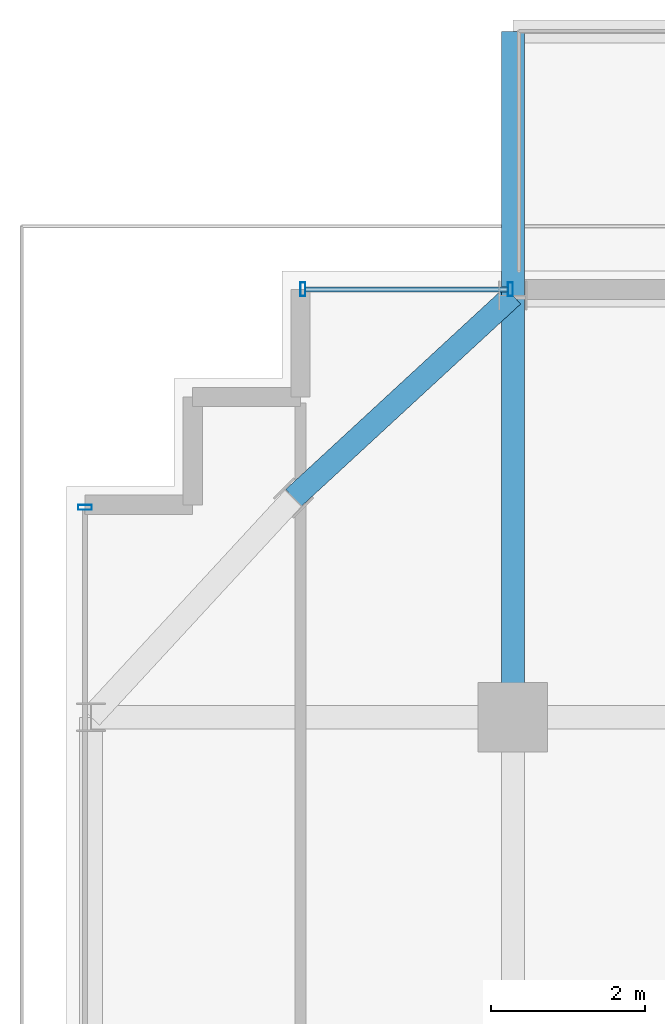
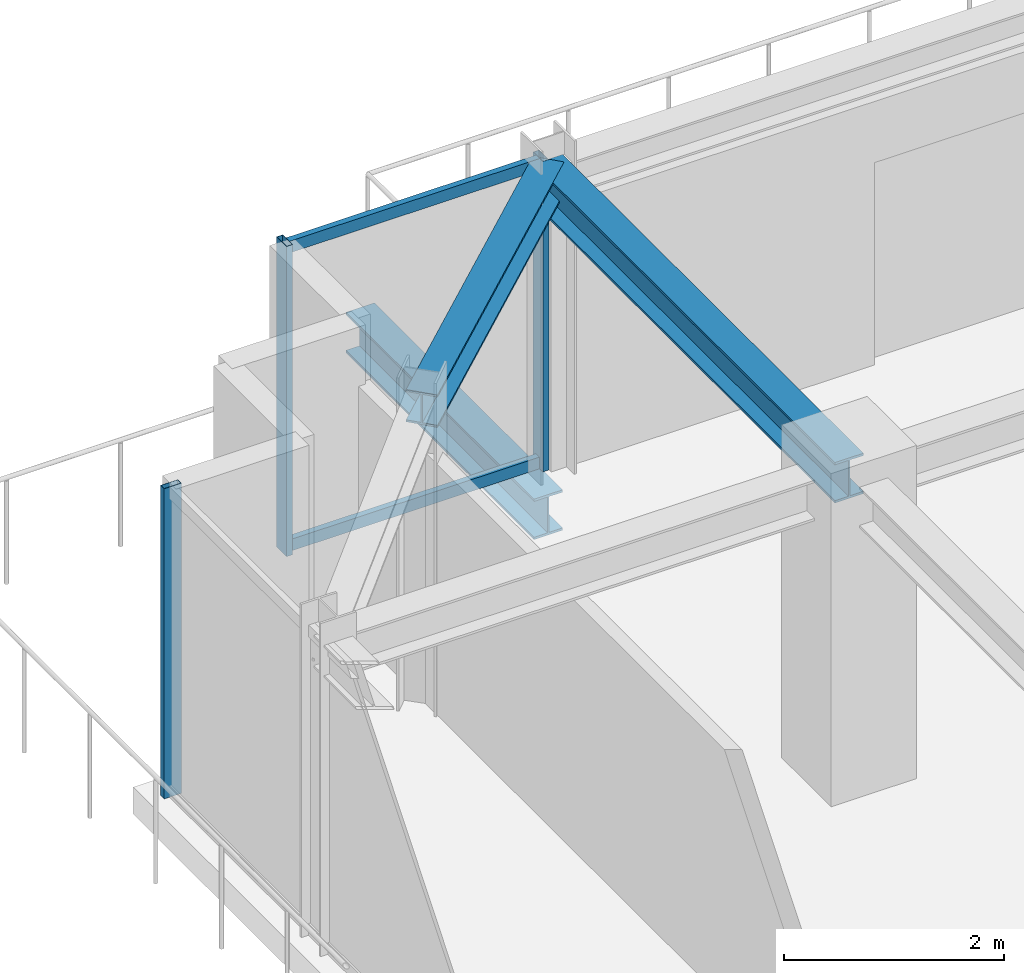
# One storey, part 17 of 32: 5 members, 3 beams, 2 elements without a shape of their own.
"""IFC4 building model written with IfcOpenShell, lengths in metres."""

import ifcopenshell
import ifcopenshell.guid

model = None  # the IFC model being written
_history = None  # IfcOwnerHistory: only IFC2X3 demands one
_inside = {}  # id of a spatial element -> (the spatial element, [elements in it])
_under = {}  # id of a project, library or spatial element -> (it, [spatial elements below it])
_declared = {}  # id of a project -> (the project, [libraries it declares])
_typed = {}  # id of a type object -> (the type object, [elements of that type])
_made_of = {}  # id of a material, layer set ... -> (it, [elements and type objects made of it])


def new_model(schema):
    """Start an empty IFC model of exactly this schema.

    Asked for "IFC4X3", IfcOpenShell would pick the latest addendum, in which some entities
    have other attributes; the version numbers below select the first issue.
    IFC2X3 requires an IfcOwnerHistory on every rooted entity: one is made here for all.
    """
    global model, _history
    if schema == "IFC4X3":
        model = ifcopenshell.file(schema_version=(4, 3, 0, 0))
    else:
        model = ifcopenshell.file(schema=schema)
    _inside.clear()
    _under.clear()
    _declared.clear()
    _typed.clear()
    _made_of.clear()
    _history = None
    if model.schema == "IFC2X3":
        org = make("IfcOrganization", Name="unknown")
        user = make(
            "IfcPersonAndOrganization",
            ThePerson=make("IfcPerson", FamilyName="unknown"),
            TheOrganization=org,
        )
        app = make(
            "IfcApplication",
            ApplicationDeveloper=org,
            Version="unknown",
            ApplicationFullName="unknown",
            ApplicationIdentifier="unknown",
        )
        _history = make(
            "IfcOwnerHistory",
            OwningUser=user,
            OwningApplication=app,
            ChangeAction="ADDED",
            CreationDate=0,
        )
    return model


def make(cls, **values):
    """One entity of the class cls with the attributes given. An attribute that is None is left unset."""
    return model.create_entity(
        cls, **{name: value for name, value in values.items() if value is not None}
    )


def rooted(cls, **values):
    """An entity with a GlobalId (a new one), such as an element, a storey or a relation."""
    return make(cls, GlobalId=ifcopenshell.guid.new(), OwnerHistory=_history, **values)


def si_unit(unit_type, name, prefix=None):
    """IfcSIUnit, for example si_unit("LENGTHUNIT", "METRE", prefix="MILLI")."""
    return make("IfcSIUnit", UnitType=unit_type, Prefix=prefix, Name=name)


def assignment(units):
    """IfcUnitAssignment: the units of a project."""
    return None if units is None else make("IfcUnitAssignment", Units=units)


def point(xyz):
    """IfcCartesianPoint."""
    return None if xyz is None else make("IfcCartesianPoint", Coordinates=xyz)


def direction(xyz):
    """IfcDirection."""
    return None if xyz is None else make("IfcDirection", DirectionRatios=xyz)


def frame(location, z_axis=None, x_axis=None):
    """IfcAxis2Placement3D, a coordinate frame: its origin and axes. An axis left out is left unset."""
    return make(
        "IfcAxis2Placement3D",
        Location=point(location),
        Axis=direction(z_axis),
        RefDirection=direction(x_axis),
    )


def frame_2d(location, x_axis=None):
    """IfcAxis2Placement2D, a coordinate frame in the plane: its origin and x axis."""
    return make(
        "IfcAxis2Placement2D", Location=point(location), RefDirection=direction(x_axis)
    )


def origin():
    """The frame at (0, 0, 0) with its axes left unset."""
    return frame((0.0, 0.0, 0.0))


def origin_2d():
    """The frame at (0, 0) in the plane with its x axis left unset."""
    return frame_2d((0.0, 0.0))


def place(relative_to, where):
    """IfcLocalPlacement: puts the frame where relative to a parent placement (None: the world)."""
    return make(
        "IfcLocalPlacement", PlacementRelTo=relative_to, RelativePlacement=where
    )


def context(
    kind, dimensions, precision=None, world=None, true_north=None, identifier=None
):
    """IfcGeometricRepresentationContext, for example the 3D "Model" context."""
    return make(
        "IfcGeometricRepresentationContext",
        ContextIdentifier=identifier,
        ContextType=kind,
        CoordinateSpaceDimension=dimensions,
        Precision=precision,
        WorldCoordinateSystem=world,
        TrueNorth=true_north,
    )


def subcontext(parent, identifier, kind, view, scale=None):
    """IfcGeometricRepresentationSubContext, for example "Body" below "Model"."""
    return make(
        "IfcGeometricRepresentationSubContext",
        ContextIdentifier=identifier,
        ContextType=kind,
        ParentContext=parent,
        TargetScale=scale,
        TargetView=view,
    )


def project(units=None, contexts=None):
    """IfcProject with its units and contexts."""
    return rooted(
        "IfcProject",
        Name="project",
        RepresentationContexts=contexts,
        UnitsInContext=assignment(units),
    )


def spatial(cls, under=None, at=None, **own):
    """A site, building, storey or space (cls), placed at a placement, below another one or the project."""
    s = rooted(cls, ObjectPlacement=at, **own)
    if under is not None:
        _under.setdefault(under.id(), (under, []))[1].append(s)
    return s


def profile(cls, at=None, kind="AREA", **sizes):
    """A parametric profile (cls). Its sizes go by their IFC names, for example OverallWidth=200.0."""
    return make(cls, ProfileType=kind, Position=at, **sizes)


def hollow_rectangle(**sizes):
    """IfcRectangleHollowProfileDef."""
    return profile("IfcRectangleHollowProfileDef", **sizes)


def i_section(**sizes):
    """IfcIShapeProfileDef."""
    return profile("IfcIShapeProfileDef", **sizes)


def extrude(swept, where, along, depth):
    """IfcExtrudedAreaSolid: the profile swept, set in the frame where, extruded along a direction by depth."""
    return make(
        "IfcExtrudedAreaSolid",
        SweptArea=swept,
        Position=where,
        ExtrudedDirection=direction(along),
        Depth=depth,
    )


def shape(context_of_items, identifier, shape_type, items):
    """IfcShapeRepresentation: the items that make up one representation, for example the "Body"."""
    return make(
        "IfcShapeRepresentation",
        ContextOfItems=context_of_items,
        RepresentationIdentifier=identifier,
        RepresentationType=shape_type,
        Items=items,
    )


def source(mapping_origin, context_of_items, identifier, shape_type, items):
    """IfcRepresentationMap: a shape defined once, which mapped items show again and again."""
    return make(
        "IfcRepresentationMap",
        MappingOrigin=mapping_origin,
        MappedRepresentation=shape(context_of_items, identifier, shape_type, items),
    )


def transform(
    local_origin,
    x_axis=None,
    y_axis=None,
    z_axis=None,
    scale=None,
    scale2=None,
    scale3=None,
    uniform=True,
):
    """IfcCartesianTransformationOperator3D, or its non-uniform kind. x_axis, y_axis, z_axis: its Axis1, 2, 3."""
    if uniform:
        return make(
            "IfcCartesianTransformationOperator3D",
            Axis1=direction(x_axis),
            Axis2=direction(y_axis),
            LocalOrigin=point(local_origin),
            Scale=scale,
            Axis3=direction(z_axis),
        )
    return make(
        "IfcCartesianTransformationOperator3DnonUniform",
        Axis1=direction(x_axis),
        Axis2=direction(y_axis),
        LocalOrigin=point(local_origin),
        Scale=scale,
        Axis3=direction(z_axis),
        Scale2=scale2,
        Scale3=scale3,
    )


def mapped(mapping_source, mapping_target):
    """IfcMappedItem: shows the shape of a source again, moved by a transform."""
    return make(
        "IfcMappedItem", MappingSource=mapping_source, MappingTarget=mapping_target
    )


def material(Name=None, Category=None):
    """IfcMaterial."""
    return make("IfcMaterial", Name=Name, Category=Category)


def material_profile(
    of_material, cross_section, Name=None, Category=None, Priority=None
):
    """IfcMaterialProfile: a cross section and its material."""
    return make(
        "IfcMaterialProfile",
        Name=Name,
        Material=of_material,
        Profile=cross_section,
        Priority=Priority,
        Category=Category,
    )


def profile_set(profiles, Name=None, composite=None):
    """IfcMaterialProfileSet."""
    return make(
        "IfcMaterialProfileSet",
        Name=Name,
        MaterialProfiles=profiles,
        CompositeProfile=composite,
    )


def made_of(thing, what):
    """Note that an element or type object is made of a material, layer set ...; save() writes the relation."""
    if what is not None:
        _made_of.setdefault(what.id(), (what, []))[1].append(thing)
    return thing


def type_object(cls, material=None, **own):
    """A type object (cls), such as IfcWallType, which elements share."""
    return made_of(rooted(cls, **own), material)


def element(
    cls,
    number,
    at=None,
    inside=None,
    cuts=None,
    type_object=None,
    material=None,
    context=None,
    identifier="Body",
    shape_type=None,
    held_by="IfcProductDefinitionShape",
    body=None,
    shapes=None,
    **own,
):
    """One element of the class cls, such as IfcWall. Its Tag is "e" and its number.

    at: its placement. inside: the storey or other place that contains it. cuts: it is an
    opening in that element (IfcRelVoidsElement). A single representation is given by context,
    identifier, shape_type and body (its items); several are given by shapes. held_by: the class
    of the entity that holds the representations. save() writes the other relations.
    """
    e = rooted(cls, Tag="e%d" % number, ObjectPlacement=at, **own)
    if body is not None:
        shapes = [shape(context, identifier, shape_type, body)]
    if shapes is not None:
        e.Representation = make(held_by, Representations=shapes)
    if inside is not None:
        _inside.setdefault(inside.id(), (inside, []))[1].append(e)
    if cuts is not None:
        rooted(
            "IfcRelVoidsElement", RelatingBuildingElement=cuts, RelatedOpeningElement=e
        )
    if type_object is not None:
        _typed.setdefault(type_object.id(), (type_object, []))[1].append(e)
    return made_of(e, material)


def aggregate(whole, parts):
    """IfcRelAggregates: a whole, such as a stair, and the parts it consists of."""
    return rooted("IfcRelAggregates", RelatingObject=whole, RelatedObjects=parts)


def save(model, path):
    """Write the relations noted so far, then the file.

    IfcRelAggregates (storeys below a building ...), IfcRelContainedInSpatialStructure (elements
    in a storey), IfcRelDefinesByType, IfcRelAssociatesMaterial and IfcRelDeclares: one each for
    every whole, place, type object, material and project.
    """
    for whole, parts in _under.values():
        aggregate(whole, parts)
    for where, things in _inside.values():
        rooted(
            "IfcRelContainedInSpatialStructure",
            RelatedElements=things,
            RelatingStructure=where,
        )
    for kind, things in _typed.values():
        rooted("IfcRelDefinesByType", RelatedObjects=things, RelatingType=kind)
    for what, things in _made_of.values():
        rooted("IfcRelAssociatesMaterial", RelatedObjects=things, RelatingMaterial=what)
    for by, libraries in _declared.values():
        rooted("IfcRelDeclares", RelatingContext=by, RelatedDefinitions=libraries)
    model.write(path)


model = new_model("IFC4")

# Units and contexts
model_context = context("Model", 3, precision=1e-05, world=origin(), true_north=direction((0.0, 1.0)))
body_context = subcontext(model_context, "Body", "Model", "MODEL_VIEW")
ifc_project = project(units=[si_unit("LENGTHUNIT", "METRE"), si_unit("AREAUNIT", "SQUARE_METRE"), si_unit("VOLUMEUNIT", "CUBIC_METRE"), si_unit("PLANEANGLEUNIT", "RADIAN"), si_unit("MASSUNIT", "GRAM", prefix="KILO")], contexts=[model_context])

# Site, building, storey
site_placement = place(None, origin())
site = spatial("IfcSite", under=ifc_project, at=site_placement, CompositionType="ELEMENT")
building_placement = place(site_placement, origin())
building = spatial("IfcBuilding", under=site, at=building_placement, Name="Nahalor Promenade Grand Hotel", CompositionType="ELEMENT")
storey_placement = place(building_placement, frame((0.0, 0.0, 266.300048828125)))
storey = spatial("IfcBuildingStorey", under=building, at=storey_placement, Name="L68", CompositionType="ELEMENT", Elevation=266.300048828125)

# Beams
ifc_material_1 = material(Name="Steel S355JR", Category="steel")
ifc_material_profile_1 = material_profile(ifc_material_1, i_section(OverallWidth=0.3, OverallDepth=0.45, WebThickness=0.014, FlangeThickness=0.026, at=origin_2d()), Name="HEB 450")
ifc_profile_set_1 = profile_set([ifc_material_profile_1], Name="Steel S355JR")
beam_type_1 = type_object("IfcBeamType", Name="Beam-Outrigger-HEB450", PredefinedType="BEAM", material=ifc_profile_set_1)
shared_shape_1 = source(origin(), body_context, "Body", "SweptSolid", [
    extrude(i_section(OverallWidth=0.3, OverallDepth=0.45, WebThickness=0.014, FlangeThickness=0.026, at=origin_2d()), origin(), (0.0, 0.0, 1.0), 3.429931640625),
])
beam_1_placement = place(storey_placement, frame((-17.0, 22.47998046875, -0.505126953125), z_axis=(0.0, 1.0, 0.0), x_axis=(-1.0, 0.0, 0.0)))
element("IfcBeam", 1, at=beam_1_placement, inside=storey, type_object=beam_type_1, Name="BM-L68-BC-01-1", PredefinedType="BEAM", context=body_context, shape_type="MappedRepresentation", body=[
    mapped(shared_shape_1, transform((0.0, 0.0, 0.0), scale=1.0)),
])
ifc_material_profile_2 = material_profile(ifc_material_1, i_section(OverallWidth=0.3, OverallDepth=0.45, WebThickness=0.014, FlangeThickness=0.026, at=origin_2d()), Name="HEB 450")
ifc_profile_set_2 = profile_set([ifc_material_profile_2], Name="Steel S355JR")
beam_type_2 = type_object("IfcBeamType", Name="Beam-Girder-HEB450", PredefinedType="BEAM", material=ifc_profile_set_2)
shared_shape_2 = source(origin(), body_context, "Body", "SweptSolid", [
    extrude(i_section(OverallWidth=0.3, OverallDepth=0.45, WebThickness=0.014, FlangeThickness=0.026, at=origin_2d()), origin(), (0.0, 0.0, 1.0), 5.47998046875),
])
beam_2_placement = place(storey_placement, frame((-17.0, 17.0, 3.224853515625), z_axis=(0.0, 1.0, 0.0), x_axis=(-1.0, 0.0, 0.0)))
element("IfcBeam", 2, at=beam_2_placement, inside=storey, type_object=beam_type_2, Name="BM-L68-GY-0-4", PredefinedType="BEAM", context=body_context, shape_type="MappedRepresentation", body=[
    mapped(shared_shape_2, transform((0.0, 0.0, 0.0), scale=1.0)),
])
ifc_material_profile_3 = material_profile(ifc_material_1, i_section(OverallWidth=0.3, OverallDepth=0.36, WebThickness=0.0125, FlangeThickness=0.0225, at=origin_2d()), Name="HEB 360")
ifc_profile_set_3 = profile_set([ifc_material_profile_3], Name="Steel S355JR")
beam_type_3 = type_object("IfcBeamType", Name="Beam-Spandrel-HEB360", PredefinedType="SPANDREL", material=ifc_profile_set_3)
shared_shape_3 = source(origin(), body_context, "Body", "SweptSolid", [
    extrude(i_section(OverallWidth=0.3, OverallDepth=0.36, WebThickness=0.0125, FlangeThickness=0.0225, at=origin_2d()), origin(), (0.0, 0.0, 1.0), 3.878173828125),
])
beam_3_placement = place(storey_placement, frame((-17.0, 22.47998046875, 3.27001953125), z_axis=(-0.73492893846, -0.678144125843, 0.0), x_axis=(0.678144125843, -0.73492893846, 0.0)))
element("IfcBeam", 3, at=beam_3_placement, inside=storey, type_object=beam_type_3, Name="BM-L68-SPC-NW-1", PredefinedType="SPANDREL", context=body_context, shape_type="MappedRepresentation", body=[
    mapped(shared_shape_3, transform((0.0, 0.0, 0.0), scale=1.0)),
])

# Curtain wall, members
ifc_material_2 = material(Name="Anodised Bronze Aluminium EN AW-6063 T6", Category="aluminium")
curtain_wall_type = type_object("IfcCurtainWallType", Name="CW2 Typical Hotel Flush Bronze Unitised Curtain Wall", PredefinedType="USERDEFINED", material=ifc_material_2)
curtain_wall_1_placement = place(storey_placement, origin())
curtain_wall_1 = element("IfcCurtainWall", 4, at=curtain_wall_1_placement, inside=storey, type_object=curtain_wall_type, Name="L68 Curtain Wall CW-L68-N-1", ObjectType="UNITISED_CURTAIN_WALL", PredefinedType="USERDEFINED")
ifc_material_profile_4 = material_profile(ifc_material_2, hollow_rectangle(XDim=0.065, YDim=0.13, WallThickness=0.004, at=origin_2d()), Name="CWT 65x130x4")
ifc_profile_set_4 = profile_set([ifc_material_profile_4], Name="Anodised Bronze Aluminium EN AW-6063 T6")
member_type_1 = type_object("IfcMemberType", Name="CWT2 Typical Bronze Transom 65x130", PredefinedType="USERDEFINED", material=ifc_profile_set_4)
shared_shape_4 = source(origin(), body_context, "Body", "SweptSolid", [
    extrude(hollow_rectangle(XDim=0.065, YDim=0.13, WallThickness=0.004, at=origin_2d()), origin(), (0.0, 0.0, 1.0), 2.630126953125),
])
member_1_placement = place(storey_placement, frame((-19.695068359375, 22.56005859375, 0.06494140625), z_axis=(1.0, 0.0, 0.0), x_axis=(0.0, 1.0, 0.0)))
member_1 = element("IfcMember", 5, at=member_1_placement, type_object=member_type_1, Name="CW-L68-N-1 Transom 0-0", ObjectType="TRANSOM", PredefinedType="USERDEFINED", context=body_context, shape_type="MappedRepresentation", body=[
    mapped(shared_shape_4, transform((0.0, 0.0, 0.0), scale=1.0)),
])
member_2_placement = place(storey_placement, frame((-19.695068359375, 22.56005859375, 3.385009765625), z_axis=(1.0, 0.0, 0.0), x_axis=(0.0, 1.0, 0.0)))
member_2 = element("IfcMember", 6, at=member_2_placement, type_object=member_type_1, Name="CW-L68-N-1 Transom 0-1", ObjectType="TRANSOM", PredefinedType="USERDEFINED", context=body_context, shape_type="MappedRepresentation", body=[
    mapped(shared_shape_4, transform((0.0, 0.0, 0.0), scale=1.0)),
])
ifc_material_profile_5 = material_profile(ifc_material_2, hollow_rectangle(XDim=0.065, YDim=0.18, WallThickness=0.004, at=origin_2d()), Name="CWM 65x180x4")
ifc_profile_set_5 = profile_set([ifc_material_profile_5], Name="Anodised Bronze Aluminium EN AW-6063 T6")
member_type_2 = type_object("IfcMemberType", Name="CWM2 Typical Bronze Mullion 65x180", PredefinedType="MULLION", material=ifc_profile_set_5)
shared_shape_5 = source(origin(), body_context, "Body", "SweptSolid", [
    extrude(hollow_rectangle(XDim=0.065, YDim=0.18, WallThickness=0.004, at=origin_2d()), origin(), (0.0, 0.0, 1.0), 3.449951171875),
])
member_3_placement = place(storey_placement, frame((-19.7275390625, 22.56005859375, 0.0), z_axis=(0.0, 0.0, 1.0), x_axis=(1.0, 0.0, 0.0)))
member_3 = element("IfcMember", 7, at=member_3_placement, type_object=member_type_2, Name="CW-L68-N-1 Mullion 0", PredefinedType="MULLION", context=body_context, shape_type="MappedRepresentation", body=[
    mapped(shared_shape_5, transform((0.0, 0.0, 0.0), scale=1.0)),
])
member_4_placement = place(storey_placement, frame((-17.032470703125, 22.56005859375, 0.0), z_axis=(0.0, 0.0, 1.0), x_axis=(1.0, 0.0, 0.0)))
member_4 = element("IfcMember", 8, at=member_4_placement, type_object=member_type_2, Name="CW-L68-N-1 Mullion 1", PredefinedType="MULLION", context=body_context, shape_type="MappedRepresentation", body=[
    mapped(shared_shape_5, transform((0.0, 0.0, 0.0), scale=1.0)),
])
aggregate(curtain_wall_1, [member_3, member_4, member_1, member_2])

# Curtain wall, member
curtain_wall_2_placement = place(storey_placement, origin())
curtain_wall_2 = element("IfcCurtainWall", 9, at=curtain_wall_2_placement, inside=storey, type_object=curtain_wall_type, Name="L68 Curtain Wall CW-L68-W-1", ObjectType="UNITISED_CURTAIN_WALL", PredefinedType="USERDEFINED")
member_5_placement = place(storey_placement, frame((-22.56005859375, 19.7275390625, 0.0), z_axis=(0.0, 0.0, 1.0), x_axis=(0.0, 1.0, 0.0)))
member_5 = element("IfcMember", 10, at=member_5_placement, type_object=member_type_2, Name="CW-L68-W-1 Mullion 3", PredefinedType="MULLION", context=body_context, shape_type="MappedRepresentation", body=[
    mapped(shared_shape_5, transform((0.0, 0.0, 0.0), scale=1.0)),
])
aggregate(curtain_wall_2, [member_5])

save(model, "model.ifc")
